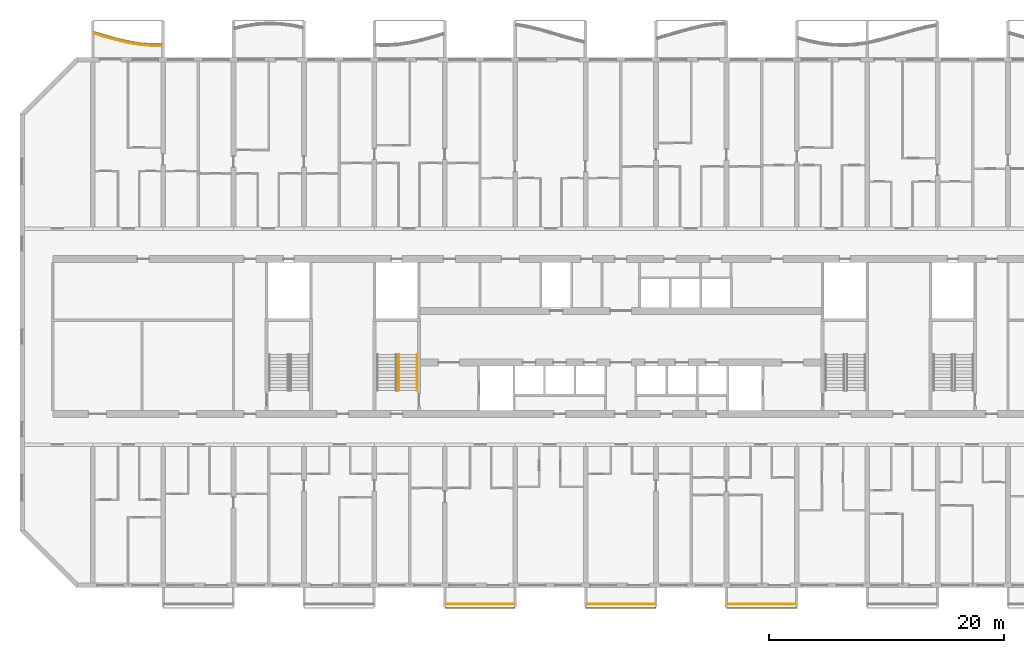
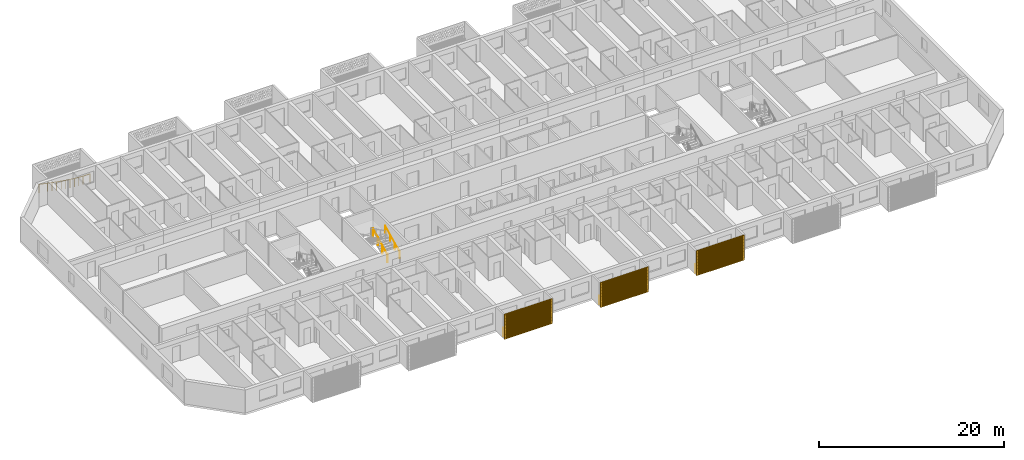
# One storey, part 20 of 38: 6 railings, 3 shading devices.
"""IFC4 building model written with IfcOpenShell, lengths in metres."""

from ifc_helpers import new_model, si_unit, direction, frame, origin, origin_2d, place, context, subcontext, project, spatial, polyline, circle, outline, extrude, source, transform, mapped, material, material_profile, profile_set, type_object, element, save


model = new_model("IFC4")

# Units and contexts
model_context = context("Model", 3, precision=1e-05, world=origin(), true_north=direction((0.0, 1.0)))
body_context = subcontext(model_context, "Body", "Model", "MODEL_VIEW")
ifc_project = project(units=[si_unit("LENGTHUNIT", "METRE"), si_unit("AREAUNIT", "SQUARE_METRE"), si_unit("VOLUMEUNIT", "CUBIC_METRE"), si_unit("PLANEANGLEUNIT", "RADIAN"), si_unit("MASSUNIT", "GRAM", prefix="KILO")], contexts=[model_context])

# Site, building, storey
site_placement = place(None, origin())
site = spatial("IfcSite", under=ifc_project, at=site_placement, CompositionType="ELEMENT")
building_placement = place(site_placement, origin())
building = spatial("IfcBuilding", under=site, at=building_placement, Name="Poui Terraces", CompositionType="ELEMENT")
storey_placement = place(building_placement, frame((0.0, 0.0, 43.199951171875)))
storey = spatial("IfcBuildingStorey", under=building, at=storey_placement, Name="L11", CompositionType="ELEMENT", Elevation=43.199951171875)

# Railings
ifc_material_1 = material(Name="Painted steel fretwork", Category="steel")
railing_type_1 = type_object("IfcRailingType", Name="BALCONY GUARD 1100", PredefinedType="GUARDRAIL", material=ifc_material_1)
railing_1_placement = place(storey_placement, frame((6.125, 47.006591796875, 0.0)))
element("IfcRailing", 1, at=railing_1_placement, inside=storey, type_object=railing_type_1, Name="BALCONY GUARD", PredefinedType="GUARDRAIL", context=body_context, shape_type="SweptSolid", body=[
    extrude(circle(Radius=0.02392578125, at=origin_2d()), frame((0.0, 0.0, 1.076171875), z_axis=(0.958573864065, -0.28484407512, 0.0), x_axis=(0.28484407512, 0.958573864065, 0.0)), (0.0, 0.0, 1.0), 0.912841796875),
    extrude(circle(Radius=0.02392578125, at=origin_2d()), frame((0.875, -0.260009765625, 1.076171875), z_axis=(0.962589664763, -0.270963350457, 0.0), x_axis=(0.270963350457, 0.962589664763, 0.0)), (0.0, 0.0, 1.0), 1.038818359375),
    extrude(circle(Radius=0.02392578125, at=origin_2d()), frame((1.875, -0.54150390625, 1.076171875), z_axis=(0.972979257535, -0.230892538653, 0.0), x_axis=(0.230892538653, 0.972979257535, 0.0)), (0.0, 0.0, 1.0), 1.02783203125),
    extrude(circle(Radius=0.02392578125, at=origin_2d()), frame((2.875, -0.77880859375, 1.076171875), z_axis=(0.986106132513, -0.166116511581, 0.0), x_axis=(0.166116511581, 0.986106132513, 0.0)), (0.0, 0.0, 1.0), 1.01416015625),
    extrude(circle(Radius=0.02392578125, at=origin_2d()), frame((3.875, -0.947265625, 1.076171875), z_axis=(0.99661255374, -0.082240000773, 0.0), x_axis=(0.082240000773, 0.99661255374, 0.0)), (0.0, 0.0, 1.0), 1.00341796875),
    extrude(circle(Radius=0.02392578125, at=origin_2d()), frame((4.875, -1.02978515625, 1.076171875), z_axis=(0.999982834304, 0.00585927442, 0.0), x_axis=(-0.00585927442, 0.999982834304, 0.0)), (0.0, 0.0, 1.0), 0.875),
    extrude(circle(Radius=0.02099609375, at=origin_2d()), origin(), (0.0, 0.0, 1.0), 1.052001953125),
    extrude(circle(Radius=0.02099609375, at=origin_2d()), frame((0.875, -0.260009765625, 0.0)), (0.0, 0.0, 1.0), 1.052001953125),
    extrude(circle(Radius=0.02099609375, at=origin_2d()), frame((1.375, -0.40087890625, 0.0)), (0.0, 0.0, 1.0), 1.052001953125),
    extrude(circle(Radius=0.02099609375, at=origin_2d()), frame((1.875, -0.54150390625, 0.0)), (0.0, 0.0, 1.0), 1.052001953125),
    extrude(circle(Radius=0.02099609375, at=origin_2d()), frame((2.375, -0.66015625, 0.0)), (0.0, 0.0, 1.0), 1.052001953125),
    extrude(circle(Radius=0.02099609375, at=origin_2d()), frame((2.875, -0.77880859375, 0.0)), (0.0, 0.0, 1.0), 1.052001953125),
    extrude(circle(Radius=0.02099609375, at=origin_2d()), frame((3.375, -0.863037109375, 0.0)), (0.0, 0.0, 1.0), 1.052001953125),
    extrude(circle(Radius=0.02099609375, at=origin_2d()), frame((3.875, -0.947265625, 0.0)), (0.0, 0.0, 1.0), 1.052001953125),
    extrude(circle(Radius=0.02099609375, at=origin_2d()), frame((4.375, -0.988525390625, 0.0)), (0.0, 0.0, 1.0), 1.052001953125),
    extrude(circle(Radius=0.02099609375, at=origin_2d()), frame((4.875, -1.02978515625, 0.0)), (0.0, 0.0, 1.0), 1.052001953125),
    extrude(circle(Radius=0.02099609375, at=origin_2d()), frame((5.75, -1.024658203125, 0.0)), (0.0, 0.0, 1.0), 1.052001953125),
])
for number, where, name in (
    (2, (36.10009765625, -1.570068359375, 0.0), "BALCONY GUARD"),
    (3, (48.10009765625, -1.570068359375, 0.0), "BALCONY GUARD"),
    (4, (60.10009765625, -1.570068359375, 0.0), "BALCONY GUARD"),
):
    element("IfcRailing", number, at=place(storey_placement, frame(where)), inside=storey, type_object=railing_type_1, Name=name, PredefinedType="GUARDRAIL", context=body_context, shape_type="SweptSolid", body=[
        extrude(circle(Radius=0.02392578125, at=origin_2d()), frame((0.0, 0.0, 1.076171875), z_axis=(1.0, 0.0, 0.0), x_axis=(0.0, 1.0, 0.0)), (0.0, 0.0, 1.0), 5.7998046875),
        extrude(circle(Radius=0.02099609375, at=origin_2d()), origin(), (0.0, 0.0, 1.0), 1.052001953125),
        extrude(circle(Radius=0.02099609375, at=origin_2d()), frame((0.966552734375, 0.0, 0.0)), (0.0, 0.0, 1.0), 1.052001953125),
        extrude(circle(Radius=0.02099609375, at=origin_2d()), frame((1.933349609375, 0.0, 0.0)), (0.0, 0.0, 1.0), 1.052001953125),
        extrude(circle(Radius=0.02099609375, at=origin_2d()), frame((2.89990234375, 0.0, 0.0)), (0.0, 0.0, 1.0), 1.052001953125),
        extrude(circle(Radius=0.02099609375, at=origin_2d()), frame((3.866455078125, 0.0, 0.0)), (0.0, 0.0, 1.0), 1.052001953125),
        extrude(circle(Radius=0.02099609375, at=origin_2d()), frame((4.833251953125, 0.0, 0.0)), (0.0, 0.0, 1.0), 1.052001953125),
        extrude(circle(Radius=0.02099609375, at=origin_2d()), frame((5.7998046875, 0.0, 0.0)), (0.0, 0.0, 1.0), 1.052001953125),
    ])
ifc_material_2 = material(Name="Galvanised steel balustrade", Category="steel")
railing_type_2 = type_object("IfcRailingType", Name="STAIR GUARD 1100", PredefinedType="GUARDRAIL", material=ifc_material_2)
railing_2_placement = place(storey_placement, frame((32.074951171875, 16.60009765625, 0.137451171875)))
element("IfcRailing", 5, at=railing_2_placement, inside=storey, type_object=railing_type_2, Name="L11 ST-CW stair guard 1", PredefinedType="GUARDRAIL", context=body_context, shape_type="SweptSolid", body=[
    extrude(circle(Radius=0.02392578125, at=origin_2d()), frame((0.0, 0.0, 1.076171875), z_axis=(0.0, 0.897578036475, 0.440855609512), x_axis=(-1.0, 0.0, 0.0)), (0.0, 0.0, 1.0), 3.43115234375),
    extrude(circle(Radius=0.02099609375, at=origin_2d()), origin(), (0.0, 0.0, 1.0), 1.052001953125),
    extrude(circle(Radius=0.02099609375, at=origin_2d()), frame((0.0, 1.026611328125, 0.504150390625)), (0.0, 0.0, 1.0), 1.052001953125),
    extrude(circle(Radius=0.02099609375, at=origin_2d()), frame((0.0, 2.05322265625, 1.008544921875)), (0.0, 0.0, 1.0), 1.052001953125),
    extrude(circle(Radius=0.02099609375, at=origin_2d()), frame((0.0, 3.079833984375, 1.5126953125)), (0.0, 0.0, 1.0), 1.052001953125),
])
ifc_material_3 = material(Name="Stainless steel handrail", Category="steel")
railing_type_3 = type_object("IfcRailingType", Name="STAIR HANDRAIL 900", PredefinedType="HANDRAIL", material=ifc_material_3)
railing_3_placement = place(storey_placement, frame((33.625, 16.60009765625, 0.137451171875)))
element("IfcRailing", 6, at=railing_3_placement, inside=storey, type_object=railing_type_3, Name="L11 ST-CW stair handrail 1", PredefinedType="HANDRAIL", context=body_context, shape_type="SweptSolid", body=[
    extrude(circle(Radius=0.02392578125, at=origin_2d()), frame((0.0, 0.0, 0.8759765625), z_axis=(0.0, 0.897578036475, 0.440855609512), x_axis=(-1.0, 0.0, 0.0)), (0.0, 0.0, 1.0), 3.43115234375),
    extrude(circle(Radius=0.02099609375, at=origin_2d()), origin(), (0.0, 0.0, 1.0), 0.851806640625),
    extrude(circle(Radius=0.02099609375, at=origin_2d()), frame((0.0, 1.026611328125, 0.504150390625)), (0.0, 0.0, 1.0), 0.851806640625),
    extrude(circle(Radius=0.02099609375, at=origin_2d()), frame((0.0, 2.05322265625, 1.008544921875)), (0.0, 0.0, 1.0), 0.851806640625),
    extrude(circle(Radius=0.02099609375, at=origin_2d()), frame((0.0, 3.079833984375, 1.5126953125)), (0.0, 0.0, 1.0), 0.851806640625),
])

# Shading devices
ifc_material_4 = material(Name="Aluminium louvre", Category="aluminium")
ifc_material_profile = material_profile(ifc_material_4, outline(polyline([(-3.0, -1.64990234375), (3.0, -1.64990234375), (3.0, 1.64990234375), (-3.0, 1.64990234375), (-3.0, -1.64990234375)]), holes=[polyline([(-2.800048828125, -1.530029296875), (2.800048828125, -1.530029296875), (2.800048828125, -1.469970703125), (-2.800048828125, -1.469970703125), (-2.800048828125, -1.530029296875)]), polyline([(-2.800048828125, -1.429931640625), (2.800048828125, -1.429931640625), (2.800048828125, -1.3701171875), (-2.800048828125, -1.3701171875), (-2.800048828125, -1.429931640625)]), polyline([(-2.800048828125, -1.330078125), (2.800048828125, -1.330078125), (2.800048828125, -1.27001953125), (-2.800048828125, -1.27001953125), (-2.800048828125, -1.330078125)]), polyline([(-2.800048828125, -1.22998046875), (2.800048828125, -1.22998046875), (2.800048828125, -1.169921875), (-2.800048828125, -1.169921875), (-2.800048828125, -1.22998046875)]), polyline([(-2.800048828125, -1.1298828125), (2.800048828125, -1.1298828125), (2.800048828125, -1.070068359375), (-2.800048828125, -1.070068359375), (-2.800048828125, -1.1298828125)]), polyline([(-2.800048828125, -1.030029296875), (2.800048828125, -1.030029296875), (2.800048828125, -0.969970703125), (-2.800048828125, -0.969970703125), (-2.800048828125, -1.030029296875)]), polyline([(-2.800048828125, -0.929931640625), (2.800048828125, -0.929931640625), (2.800048828125, -0.8701171875), (-2.800048828125, -0.8701171875), (-2.800048828125, -0.929931640625)]), polyline([(-2.800048828125, -0.830078125), (2.800048828125, -0.830078125), (2.800048828125, -0.77001953125), (-2.800048828125, -0.77001953125), (-2.800048828125, -0.830078125)]), polyline([(-2.800048828125, -0.72998046875), (2.800048828125, -0.72998046875), (2.800048828125, -0.669921875), (-2.800048828125, -0.669921875), (-2.800048828125, -0.72998046875)]), polyline([(-2.800048828125, -0.6298828125), (2.800048828125, -0.6298828125), (2.800048828125, -0.570068359375), (-2.800048828125, -0.570068359375), (-2.800048828125, -0.6298828125)]), polyline([(-2.800048828125, -0.530029296875), (2.800048828125, -0.530029296875), (2.800048828125, -0.469970703125), (-2.800048828125, -0.469970703125), (-2.800048828125, -0.530029296875)]), polyline([(-2.800048828125, -0.429931640625), (2.800048828125, -0.429931640625), (2.800048828125, -0.3701171875), (-2.800048828125, -0.3701171875), (-2.800048828125, -0.429931640625)]), polyline([(-2.800048828125, -0.330078125), (2.800048828125, -0.330078125), (2.800048828125, -0.27001953125), (-2.800048828125, -0.27001953125), (-2.800048828125, -0.330078125)]), polyline([(-2.800048828125, -0.22998046875), (2.800048828125, -0.22998046875), (2.800048828125, -0.169921875), (-2.800048828125, -0.169921875), (-2.800048828125, -0.22998046875)]), polyline([(-2.800048828125, -0.1298828125), (2.800048828125, -0.1298828125), (2.800048828125, -0.070068359375), (-2.800048828125, -0.070068359375), (-2.800048828125, -0.1298828125)]), polyline([(-2.800048828125, -0.030029296875), (2.800048828125, -0.030029296875), (2.800048828125, 0.030029296875), (-2.800048828125, 0.030029296875), (-2.800048828125, -0.030029296875)]), polyline([(-2.800048828125, 0.070068359375), (2.800048828125, 0.070068359375), (2.800048828125, 0.1298828125), (-2.800048828125, 0.1298828125), (-2.800048828125, 0.070068359375)]), polyline([(-2.800048828125, 0.169921875), (2.800048828125, 0.169921875), (2.800048828125, 0.22998046875), (-2.800048828125, 0.22998046875), (-2.800048828125, 0.169921875)]), polyline([(-2.800048828125, 0.27001953125), (2.800048828125, 0.27001953125), (2.800048828125, 0.330078125), (-2.800048828125, 0.330078125), (-2.800048828125, 0.27001953125)]), polyline([(-2.800048828125, 0.3701171875), (2.800048828125, 0.3701171875), (2.800048828125, 0.429931640625), (-2.800048828125, 0.429931640625), (-2.800048828125, 0.3701171875)]), polyline([(-2.800048828125, 0.469970703125), (2.800048828125, 0.469970703125), (2.800048828125, 0.530029296875), (-2.800048828125, 0.530029296875), (-2.800048828125, 0.469970703125)]), polyline([(-2.800048828125, 0.570068359375), (2.800048828125, 0.570068359375), (2.800048828125, 0.6298828125), (-2.800048828125, 0.6298828125), (-2.800048828125, 0.570068359375)]), polyline([(-2.800048828125, 0.669921875), (2.800048828125, 0.669921875), (2.800048828125, 0.72998046875), (-2.800048828125, 0.72998046875), (-2.800048828125, 0.669921875)]), polyline([(-2.800048828125, 0.77001953125), (2.800048828125, 0.77001953125), (2.800048828125, 0.830078125), (-2.800048828125, 0.830078125), (-2.800048828125, 0.77001953125)]), polyline([(-2.800048828125, 0.8701171875), (2.800048828125, 0.8701171875), (2.800048828125, 0.929931640625), (-2.800048828125, 0.929931640625), (-2.800048828125, 0.8701171875)]), polyline([(-2.800048828125, 0.969970703125), (2.800048828125, 0.969970703125), (2.800048828125, 1.030029296875), (-2.800048828125, 1.030029296875), (-2.800048828125, 0.969970703125)]), polyline([(-2.800048828125, 1.070068359375), (2.800048828125, 1.070068359375), (2.800048828125, 1.1298828125), (-2.800048828125, 1.1298828125), (-2.800048828125, 1.070068359375)]), polyline([(-2.800048828125, 1.169921875), (2.800048828125, 1.169921875), (2.800048828125, 1.22998046875), (-2.800048828125, 1.22998046875), (-2.800048828125, 1.169921875)]), polyline([(-2.800048828125, 1.27001953125), (2.800048828125, 1.27001953125), (2.800048828125, 1.330078125), (-2.800048828125, 1.330078125), (-2.800048828125, 1.27001953125)]), polyline([(-2.800048828125, 1.3701171875), (2.800048828125, 1.3701171875), (2.800048828125, 1.429931640625), (-2.800048828125, 1.429931640625), (-2.800048828125, 1.3701171875)]), polyline([(-2.800048828125, 1.469970703125), (2.800048828125, 1.469970703125), (2.800048828125, 1.530029296875), (-2.800048828125, 1.530029296875), (-2.800048828125, 1.469970703125)])]), Name="JALOUSIE LOUVRE SHUTTER 6000X3300")
ifc_profile_set = profile_set([ifc_material_profile], Name="Aluminium louvre")
shading_device_type = type_object("IfcShadingDeviceType", Name="JALOUSIE LOUVRE SHUTTER 6000X3300", PredefinedType="JALOUSIE", material=ifc_profile_set)
shared_shape = source(origin(), body_context, "Body", "SweptSolid", [
    extrude(outline(polyline([(-3.0, -1.64990234375), (3.0, -1.64990234375), (3.0, 1.64990234375), (-3.0, 1.64990234375), (-3.0, -1.64990234375)]), holes=[polyline([(-2.800048828125, -1.530029296875), (2.800048828125, -1.530029296875), (2.800048828125, -1.469970703125), (-2.800048828125, -1.469970703125), (-2.800048828125, -1.530029296875)]), polyline([(-2.800048828125, -1.429931640625), (2.800048828125, -1.429931640625), (2.800048828125, -1.3701171875), (-2.800048828125, -1.3701171875), (-2.800048828125, -1.429931640625)]), polyline([(-2.800048828125, -1.330078125), (2.800048828125, -1.330078125), (2.800048828125, -1.27001953125), (-2.800048828125, -1.27001953125), (-2.800048828125, -1.330078125)]), polyline([(-2.800048828125, -1.22998046875), (2.800048828125, -1.22998046875), (2.800048828125, -1.169921875), (-2.800048828125, -1.169921875), (-2.800048828125, -1.22998046875)]), polyline([(-2.800048828125, -1.1298828125), (2.800048828125, -1.1298828125), (2.800048828125, -1.070068359375), (-2.800048828125, -1.070068359375), (-2.800048828125, -1.1298828125)]), polyline([(-2.800048828125, -1.030029296875), (2.800048828125, -1.030029296875), (2.800048828125, -0.969970703125), (-2.800048828125, -0.969970703125), (-2.800048828125, -1.030029296875)]), polyline([(-2.800048828125, -0.929931640625), (2.800048828125, -0.929931640625), (2.800048828125, -0.8701171875), (-2.800048828125, -0.8701171875), (-2.800048828125, -0.929931640625)]), polyline([(-2.800048828125, -0.830078125), (2.800048828125, -0.830078125), (2.800048828125, -0.77001953125), (-2.800048828125, -0.77001953125), (-2.800048828125, -0.830078125)]), polyline([(-2.800048828125, -0.72998046875), (2.800048828125, -0.72998046875), (2.800048828125, -0.669921875), (-2.800048828125, -0.669921875), (-2.800048828125, -0.72998046875)]), polyline([(-2.800048828125, -0.6298828125), (2.800048828125, -0.6298828125), (2.800048828125, -0.570068359375), (-2.800048828125, -0.570068359375), (-2.800048828125, -0.6298828125)]), polyline([(-2.800048828125, -0.530029296875), (2.800048828125, -0.530029296875), (2.800048828125, -0.469970703125), (-2.800048828125, -0.469970703125), (-2.800048828125, -0.530029296875)]), polyline([(-2.800048828125, -0.429931640625), (2.800048828125, -0.429931640625), (2.800048828125, -0.3701171875), (-2.800048828125, -0.3701171875), (-2.800048828125, -0.429931640625)]), polyline([(-2.800048828125, -0.330078125), (2.800048828125, -0.330078125), (2.800048828125, -0.27001953125), (-2.800048828125, -0.27001953125), (-2.800048828125, -0.330078125)]), polyline([(-2.800048828125, -0.22998046875), (2.800048828125, -0.22998046875), (2.800048828125, -0.169921875), (-2.800048828125, -0.169921875), (-2.800048828125, -0.22998046875)]), polyline([(-2.800048828125, -0.1298828125), (2.800048828125, -0.1298828125), (2.800048828125, -0.070068359375), (-2.800048828125, -0.070068359375), (-2.800048828125, -0.1298828125)]), polyline([(-2.800048828125, -0.030029296875), (2.800048828125, -0.030029296875), (2.800048828125, 0.030029296875), (-2.800048828125, 0.030029296875), (-2.800048828125, -0.030029296875)]), polyline([(-2.800048828125, 0.070068359375), (2.800048828125, 0.070068359375), (2.800048828125, 0.1298828125), (-2.800048828125, 0.1298828125), (-2.800048828125, 0.070068359375)]), polyline([(-2.800048828125, 0.169921875), (2.800048828125, 0.169921875), (2.800048828125, 0.22998046875), (-2.800048828125, 0.22998046875), (-2.800048828125, 0.169921875)]), polyline([(-2.800048828125, 0.27001953125), (2.800048828125, 0.27001953125), (2.800048828125, 0.330078125), (-2.800048828125, 0.330078125), (-2.800048828125, 0.27001953125)]), polyline([(-2.800048828125, 0.3701171875), (2.800048828125, 0.3701171875), (2.800048828125, 0.429931640625), (-2.800048828125, 0.429931640625), (-2.800048828125, 0.3701171875)]), polyline([(-2.800048828125, 0.469970703125), (2.800048828125, 0.469970703125), (2.800048828125, 0.530029296875), (-2.800048828125, 0.530029296875), (-2.800048828125, 0.469970703125)]), polyline([(-2.800048828125, 0.570068359375), (2.800048828125, 0.570068359375), (2.800048828125, 0.6298828125), (-2.800048828125, 0.6298828125), (-2.800048828125, 0.570068359375)]), polyline([(-2.800048828125, 0.669921875), (2.800048828125, 0.669921875), (2.800048828125, 0.72998046875), (-2.800048828125, 0.72998046875), (-2.800048828125, 0.669921875)]), polyline([(-2.800048828125, 0.77001953125), (2.800048828125, 0.77001953125), (2.800048828125, 0.830078125), (-2.800048828125, 0.830078125), (-2.800048828125, 0.77001953125)]), polyline([(-2.800048828125, 0.8701171875), (2.800048828125, 0.8701171875), (2.800048828125, 0.929931640625), (-2.800048828125, 0.929931640625), (-2.800048828125, 0.8701171875)]), polyline([(-2.800048828125, 0.969970703125), (2.800048828125, 0.969970703125), (2.800048828125, 1.030029296875), (-2.800048828125, 1.030029296875), (-2.800048828125, 0.969970703125)]), polyline([(-2.800048828125, 1.070068359375), (2.800048828125, 1.070068359375), (2.800048828125, 1.1298828125), (-2.800048828125, 1.1298828125), (-2.800048828125, 1.070068359375)]), polyline([(-2.800048828125, 1.169921875), (2.800048828125, 1.169921875), (2.800048828125, 1.22998046875), (-2.800048828125, 1.22998046875), (-2.800048828125, 1.169921875)]), polyline([(-2.800048828125, 1.27001953125), (2.800048828125, 1.27001953125), (2.800048828125, 1.330078125), (-2.800048828125, 1.330078125), (-2.800048828125, 1.27001953125)]), polyline([(-2.800048828125, 1.3701171875), (2.800048828125, 1.3701171875), (2.800048828125, 1.429931640625), (-2.800048828125, 1.429931640625), (-2.800048828125, 1.3701171875)]), polyline([(-2.800048828125, 1.469970703125), (2.800048828125, 1.469970703125), (2.800048828125, 1.530029296875), (-2.800048828125, 1.530029296875), (-2.800048828125, 1.469970703125)])]), origin(), (0.0, 0.0, 1.0), 0.099853515625),
])
for number, where, z_axis, x_axis, name in (
    (7, (39.0, -1.85009765625, 1.449951171875), (0.0, -1.0, 0.0), (1.0, 0.0, 0.0), "JALOUSIE LOUVRE SHUTTER"),
    (8, (51.0, -1.85009765625, 1.449951171875), (0.0, -1.0, 0.0), (1.0, 0.0, 0.0), "JALOUSIE LOUVRE SHUTTER"),
    (9, (63.0, -1.85009765625, 1.449951171875), (0.0, -1.0, 0.0), (1.0, 0.0, 0.0), "JALOUSIE LOUVRE SHUTTER"),
):
    element("IfcShadingDevice", number, at=place(storey_placement, frame(where, z_axis=z_axis, x_axis=x_axis)), inside=storey, type_object=shading_device_type, Name=name, PredefinedType="JALOUSIE", context=body_context, shape_type="MappedRepresentation", body=[
        mapped(shared_shape, transform((0.0, 0.0, 0.0))),
    ])

save(model, "model.ifc")
